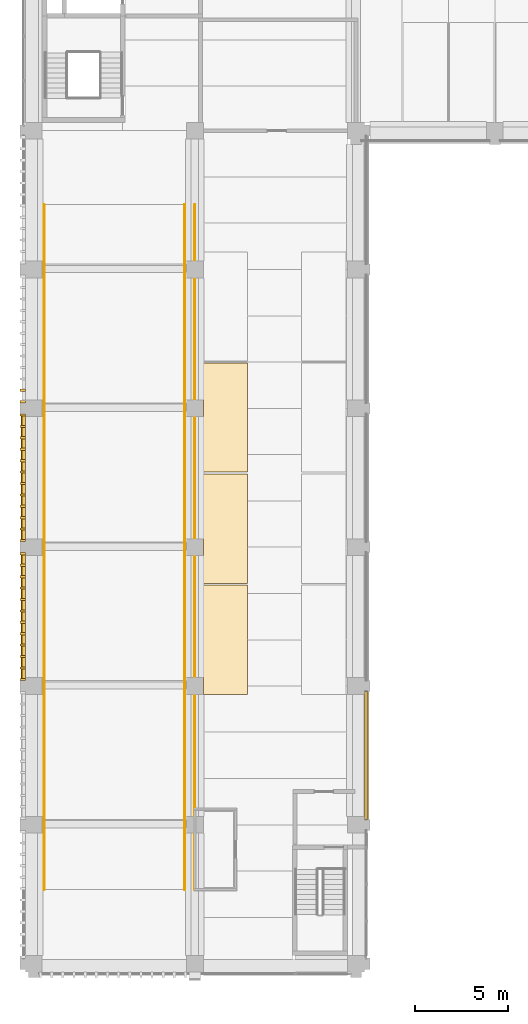
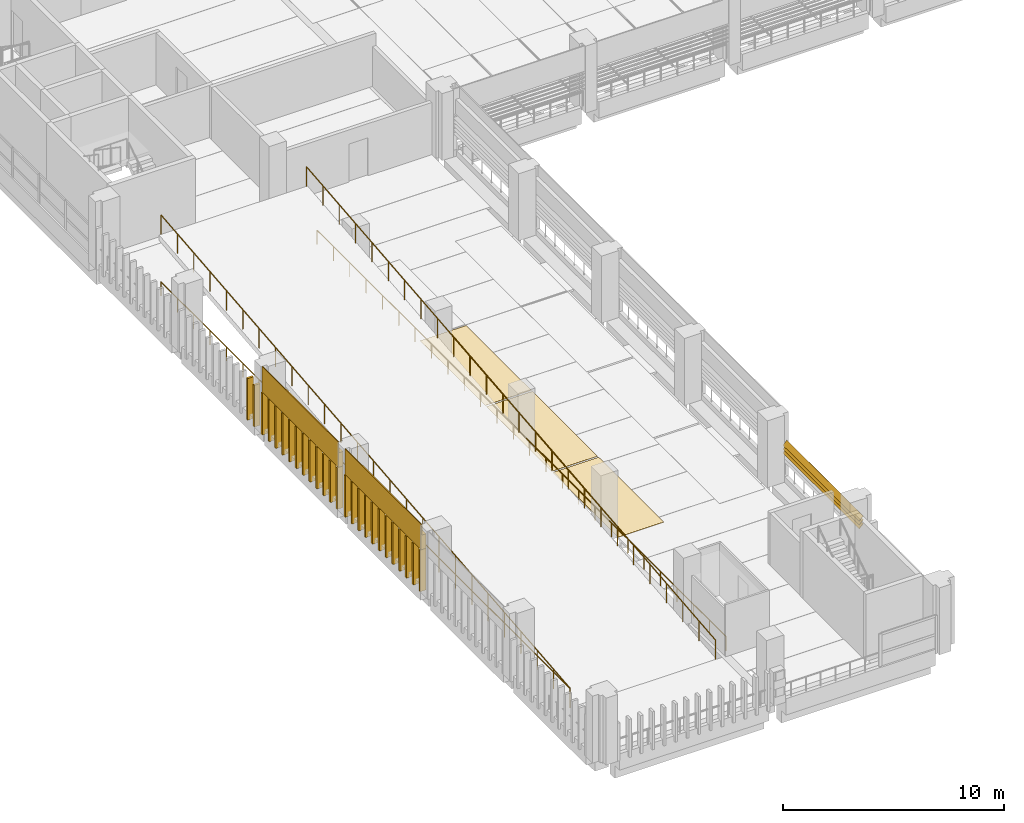
# One storey, part 38 of 57: 31 coverings, 4 railings, 3 shading devices.
"""IFC4 building model written with IfcOpenShell, lengths in metres."""

from ifc_helpers import new_model, si_unit, direction, frame, origin, origin_2d, place, context, subcontext, project, spatial, polyline, circle, outline, extrude, material, layer, layer_set, type_object, element, save


model = new_model("IFC4")

# Units and contexts
model_context = context("Model", 3, precision=1e-05, world=origin(), true_north=direction((0.0, 1.0)))
body_context = subcontext(model_context, "Body", "Model", "MODEL_VIEW")
ifc_project = project(units=[si_unit("LENGTHUNIT", "METRE"), si_unit("AREAUNIT", "SQUARE_METRE"), si_unit("VOLUMEUNIT", "CUBIC_METRE"), si_unit("PLANEANGLEUNIT", "RADIAN"), si_unit("MASSUNIT", "GRAM", prefix="KILO")], contexts=[model_context])

# Site, building, storey
site_placement = place(None, origin())
site = spatial("IfcSite", under=ifc_project, at=site_placement, CompositionType="ELEMENT")
building_placement = place(site_placement, origin())
building = spatial("IfcBuilding", under=site, at=building_placement, Name="Cour d'Honneur Mobility Palace", CompositionType="ELEMENT")
storey_placement = place(building_placement, frame((0.0, 0.0, 8.199951171875)))
storey = spatial("IfcBuildingStorey", under=building, at=storey_placement, Name="L02", CompositionType="ELEMENT", Elevation=8.199951171875)

# Coverings
ifc_material_1 = material(Name="Parking marking paint")
ifc_layer_1 = layer(ifc_material_1, 0.0048828125)
ifc_layer_set_1 = layer_set([ifc_layer_1], Name="Parking marking paint")
covering_type_1 = type_object("IfcCoveringType", Name="Parking bay marking", PredefinedType="FLOORING", material=ifc_layer_set_1)
covering_1_placement = place(storey_placement, origin())
element("IfcCovering", 1, at=covering_1_placement, inside=storey, type_object=covering_type_1, Name="Parking bay marking L02 86", PredefinedType="FLOORING", context=body_context, shape_type="SweptSolid", body=[
    extrude(outline(polyline([(11.550048828125, 14.550048828125), (9.14990234375, 14.550048828125), (9.14990234375, 20.449951171875), (11.550048828125, 20.449951171875), (11.550048828125, 14.550048828125)])), origin(), (0.0, 0.0, 1.0), 0.005126953125),
])
covering_2_placement = place(storey_placement, origin())
element("IfcCovering", 2, at=covering_2_placement, inside=storey, type_object=covering_type_1, Name="Parking bay marking L02 87", PredefinedType="FLOORING", context=body_context, shape_type="SweptSolid", body=[
    extrude(outline(polyline([(11.550048828125, 20.550048828125), (9.14990234375, 20.550048828125), (9.14990234375, 26.449951171875), (11.550048828125, 26.449951171875), (11.550048828125, 20.550048828125)])), origin(), (0.0, 0.0, 1.0), 0.005126953125),
])
covering_3_placement = place(storey_placement, origin())
element("IfcCovering", 3, at=covering_3_placement, inside=storey, type_object=covering_type_1, Name="Parking bay marking L02 88", PredefinedType="FLOORING", context=body_context, shape_type="SweptSolid", body=[
    extrude(outline(polyline([(11.550048828125, 26.550048828125), (9.14990234375, 26.550048828125), (9.14990234375, 32.449951171875), (11.550048828125, 32.449951171875), (11.550048828125, 26.550048828125)])), origin(), (0.0, 0.0, 1.0), 0.005126953125),
])

# Railings
ifc_material_2 = material(Name="Painted steel", Category="steel")
railing_type_1 = type_object("IfcRailingType", Name="Ramp guard 1100", PredefinedType="GUARDRAIL", material=ifc_material_2)
railing_1_placement = place(storey_placement, frame((0.550048828125, 4.0, 0.0)))
element("IfcRailing", 4, at=railing_1_placement, inside=storey, type_object=railing_type_1, Name="Ramp guard Ramp West 3", PredefinedType="GUARDRAIL", context=body_context, shape_type="SweptSolid", body=[
    extrude(circle(Radius=0.02490234375, at=origin_2d()), frame((0.0, 0.0, 1.0751953125), z_axis=(0.0, 0.995037320222, 0.099502418892), x_axis=(-1.0, 0.0, 0.0)), (0.0, 0.0, 1.0), 37.1845703125),
    extrude(circle(Radius=0.02099609375, at=origin_2d()), origin(), (0.0, 0.0, 1.0), 1.050048828125),
    extrude(circle(Radius=0.02099609375, at=origin_2d()), frame((0.0, 1.47998046875, 0.14794921875)), (0.0, 0.0, 1.0), 1.050048828125),
    extrude(circle(Radius=0.02099609375, at=origin_2d()), frame((0.0, 2.9599609375, 0.2958984375)), (0.0, 0.0, 1.0), 1.050048828125),
    extrude(circle(Radius=0.02099609375, at=origin_2d()), frame((0.0, 4.43994140625, 0.444091796875)), (0.0, 0.0, 1.0), 1.050048828125),
    extrude(circle(Radius=0.02099609375, at=origin_2d()), frame((0.0, 5.919921875, 0.592041015625)), (0.0, 0.0, 1.0), 1.050048828125),
    extrude(circle(Radius=0.02099609375, at=origin_2d()), frame((0.0, 7.39990234375, 0.739990234375)), (0.0, 0.0, 1.0), 1.050048828125),
    extrude(circle(Radius=0.02099609375, at=origin_2d()), frame((0.0, 8.8798828125, 0.887939453125)), (0.0, 0.0, 1.0), 1.050048828125),
    extrude(circle(Radius=0.02099609375, at=origin_2d()), frame((0.0, 10.360107421875, 1.035888671875)), (0.0, 0.0, 1.0), 1.050048828125),
    extrude(circle(Radius=0.02099609375, at=origin_2d()), frame((0.0, 11.840087890625, 1.18408203125)), (0.0, 0.0, 1.0), 1.050048828125),
    extrude(circle(Radius=0.02099609375, at=origin_2d()), frame((0.0, 13.320068359375, 1.33203125)), (0.0, 0.0, 1.0), 1.050048828125),
    extrude(circle(Radius=0.02099609375, at=origin_2d()), frame((0.0, 14.800048828125, 1.47998046875)), (0.0, 0.0, 1.0), 1.050048828125),
    extrude(circle(Radius=0.02099609375, at=origin_2d()), frame((0.0, 16.280029296875, 1.6279296875)), (0.0, 0.0, 1.0), 1.050048828125),
    extrude(circle(Radius=0.02099609375, at=origin_2d()), frame((0.0, 17.760009765625, 1.77587890625)), (0.0, 0.0, 1.0), 1.050048828125),
    extrude(circle(Radius=0.02099609375, at=origin_2d()), frame((0.0, 19.239990234375, 1.924072265625)), (0.0, 0.0, 1.0), 1.050048828125),
    extrude(circle(Radius=0.02099609375, at=origin_2d()), frame((0.0, 20.719970703125, 2.072021484375)), (0.0, 0.0, 1.0), 1.050048828125),
    extrude(circle(Radius=0.02099609375, at=origin_2d()), frame((0.0, 22.199951171875, 2.219970703125)), (0.0, 0.0, 1.0), 1.050048828125),
    extrude(circle(Radius=0.02099609375, at=origin_2d()), frame((0.0, 23.679931640625, 2.367919921875)), (0.0, 0.0, 1.0), 1.050048828125),
    extrude(circle(Radius=0.02099609375, at=origin_2d()), frame((0.0, 25.159912109375, 2.515869140625)), (0.0, 0.0, 1.0), 1.050048828125),
    extrude(circle(Radius=0.02099609375, at=origin_2d()), frame((0.0, 26.639892578125, 2.6640625)), (0.0, 0.0, 1.0), 1.050048828125),
    extrude(circle(Radius=0.02099609375, at=origin_2d()), frame((0.0, 28.1201171875, 2.81201171875)), (0.0, 0.0, 1.0), 1.050048828125),
    extrude(circle(Radius=0.02099609375, at=origin_2d()), frame((0.0, 29.60009765625, 2.9599609375)), (0.0, 0.0, 1.0), 1.050048828125),
    extrude(circle(Radius=0.02099609375, at=origin_2d()), frame((0.0, 31.080078125, 3.10791015625)), (0.0, 0.0, 1.0), 1.050048828125),
    extrude(circle(Radius=0.02099609375, at=origin_2d()), frame((0.0, 32.56005859375, 3.255859375)), (0.0, 0.0, 1.0), 1.050048828125),
    extrude(circle(Radius=0.02099609375, at=origin_2d()), frame((0.0, 34.0400390625, 3.404052734375)), (0.0, 0.0, 1.0), 1.050048828125),
    extrude(circle(Radius=0.02099609375, at=origin_2d()), frame((0.0, 35.52001953125, 3.552001953125)), (0.0, 0.0, 1.0), 1.050048828125),
    extrude(circle(Radius=0.02099609375, at=origin_2d()), frame((0.0, 37.0, 3.699951171875)), (0.0, 0.0, 1.0), 1.050048828125),
])
railing_2_placement = place(storey_placement, frame((8.14990234375, 4.0, 0.0)))
element("IfcRailing", 5, at=railing_2_placement, inside=storey, type_object=railing_type_1, Name="Ramp guard Ramp West 3", PredefinedType="GUARDRAIL", context=body_context, shape_type="SweptSolid", body=[
    extrude(circle(Radius=0.02490234375, at=origin_2d()), frame((0.0, 0.0, 1.0751953125), z_axis=(0.0, 0.995037320222, 0.099502418892), x_axis=(-1.0, 0.0, 0.0)), (0.0, 0.0, 1.0), 37.1845703125),
    extrude(circle(Radius=0.02099609375, at=origin_2d()), origin(), (0.0, 0.0, 1.0), 1.050048828125),
    extrude(circle(Radius=0.02099609375, at=origin_2d()), frame((0.0, 1.47998046875, 0.14794921875)), (0.0, 0.0, 1.0), 1.050048828125),
    extrude(circle(Radius=0.02099609375, at=origin_2d()), frame((0.0, 2.9599609375, 0.2958984375)), (0.0, 0.0, 1.0), 1.050048828125),
    extrude(circle(Radius=0.02099609375, at=origin_2d()), frame((0.0, 4.43994140625, 0.444091796875)), (0.0, 0.0, 1.0), 1.050048828125),
    extrude(circle(Radius=0.02099609375, at=origin_2d()), frame((0.0, 5.919921875, 0.592041015625)), (0.0, 0.0, 1.0), 1.050048828125),
    extrude(circle(Radius=0.02099609375, at=origin_2d()), frame((0.0, 7.39990234375, 0.739990234375)), (0.0, 0.0, 1.0), 1.050048828125),
    extrude(circle(Radius=0.02099609375, at=origin_2d()), frame((0.0, 8.8798828125, 0.887939453125)), (0.0, 0.0, 1.0), 1.050048828125),
    extrude(circle(Radius=0.02099609375, at=origin_2d()), frame((0.0, 10.360107421875, 1.035888671875)), (0.0, 0.0, 1.0), 1.050048828125),
    extrude(circle(Radius=0.02099609375, at=origin_2d()), frame((0.0, 11.840087890625, 1.18408203125)), (0.0, 0.0, 1.0), 1.050048828125),
    extrude(circle(Radius=0.02099609375, at=origin_2d()), frame((0.0, 13.320068359375, 1.33203125)), (0.0, 0.0, 1.0), 1.050048828125),
    extrude(circle(Radius=0.02099609375, at=origin_2d()), frame((0.0, 14.800048828125, 1.47998046875)), (0.0, 0.0, 1.0), 1.050048828125),
    extrude(circle(Radius=0.02099609375, at=origin_2d()), frame((0.0, 16.280029296875, 1.6279296875)), (0.0, 0.0, 1.0), 1.050048828125),
    extrude(circle(Radius=0.02099609375, at=origin_2d()), frame((0.0, 17.760009765625, 1.77587890625)), (0.0, 0.0, 1.0), 1.050048828125),
    extrude(circle(Radius=0.02099609375, at=origin_2d()), frame((0.0, 19.239990234375, 1.924072265625)), (0.0, 0.0, 1.0), 1.050048828125),
    extrude(circle(Radius=0.02099609375, at=origin_2d()), frame((0.0, 20.719970703125, 2.072021484375)), (0.0, 0.0, 1.0), 1.050048828125),
    extrude(circle(Radius=0.02099609375, at=origin_2d()), frame((0.0, 22.199951171875, 2.219970703125)), (0.0, 0.0, 1.0), 1.050048828125),
    extrude(circle(Radius=0.02099609375, at=origin_2d()), frame((0.0, 23.679931640625, 2.367919921875)), (0.0, 0.0, 1.0), 1.050048828125),
    extrude(circle(Radius=0.02099609375, at=origin_2d()), frame((0.0, 25.159912109375, 2.515869140625)), (0.0, 0.0, 1.0), 1.050048828125),
    extrude(circle(Radius=0.02099609375, at=origin_2d()), frame((0.0, 26.639892578125, 2.6640625)), (0.0, 0.0, 1.0), 1.050048828125),
    extrude(circle(Radius=0.02099609375, at=origin_2d()), frame((0.0, 28.1201171875, 2.81201171875)), (0.0, 0.0, 1.0), 1.050048828125),
    extrude(circle(Radius=0.02099609375, at=origin_2d()), frame((0.0, 29.60009765625, 2.9599609375)), (0.0, 0.0, 1.0), 1.050048828125),
    extrude(circle(Radius=0.02099609375, at=origin_2d()), frame((0.0, 31.080078125, 3.10791015625)), (0.0, 0.0, 1.0), 1.050048828125),
    extrude(circle(Radius=0.02099609375, at=origin_2d()), frame((0.0, 32.56005859375, 3.255859375)), (0.0, 0.0, 1.0), 1.050048828125),
    extrude(circle(Radius=0.02099609375, at=origin_2d()), frame((0.0, 34.0400390625, 3.404052734375)), (0.0, 0.0, 1.0), 1.050048828125),
    extrude(circle(Radius=0.02099609375, at=origin_2d()), frame((0.0, 35.52001953125, 3.552001953125)), (0.0, 0.0, 1.0), 1.050048828125),
    extrude(circle(Radius=0.02099609375, at=origin_2d()), frame((0.0, 37.0, 3.699951171875)), (0.0, 0.0, 1.0), 1.050048828125),
])

# Coverings
ifc_material_3 = material(Name="Cast limestone", Category="masonry")
ifc_layer_2 = layer(ifc_material_3, 0.1201171875)
ifc_layer_set_2 = layer_set([ifc_layer_2], Name="Cast limestone")
covering_type_2 = type_object("IfcCoveringType", Name="Ramp screen fin", PredefinedType="CLADDING", material=ifc_layer_set_2)
covering_4_placement = place(storey_placement, origin())
element("IfcCovering", 6, at=covering_4_placement, inside=storey, type_object=covering_type_2, Name="Ramp screen fin W11.9 L02 11", PredefinedType="CLADDING", context=body_context, shape_type="SweptSolid", body=[
    extrude(outline(polyline([(-0.449951171875, 31.036376953125), (-0.449951171875, 30.916259765625), (-0.75, 30.916259765625), (-0.75, 31.036376953125), (-0.449951171875, 31.036376953125)])), origin(), (0.0, 0.0, 1.0), 2.300048828125),
])
covering_5_placement = place(storey_placement, origin())
element("IfcCovering", 7, at=covering_5_placement, inside=storey, type_object=covering_type_2, Name="Ramp screen fin W11.9 L02 12", PredefinedType="CLADDING", context=body_context, shape_type="SweptSolid", body=[
    extrude(outline(polyline([(-0.449951171875, 30.419921875), (-0.449951171875, 30.300048828125), (-0.75, 30.300048828125), (-0.75, 30.419921875), (-0.449951171875, 30.419921875)])), origin(), (0.0, 0.0, 1.0), 2.300048828125),
])
covering_6_placement = place(storey_placement, origin())
element("IfcCovering", 8, at=covering_6_placement, inside=storey, type_object=covering_type_2, Name="Ramp screen fin W11.10 L02 1", PredefinedType="CLADDING", context=body_context, shape_type="SweptSolid", body=[
    extrude(outline(polyline([(-0.449951171875, 29.699951171875), (-0.449951171875, 29.580078125), (-0.75, 29.580078125), (-0.75, 29.699951171875), (-0.449951171875, 29.699951171875)])), origin(), (0.0, 0.0, 1.0), 2.300048828125),
])
covering_7_placement = place(storey_placement, origin())
element("IfcCovering", 9, at=covering_7_placement, inside=storey, type_object=covering_type_2, Name="Ramp screen fin W11.10 L02 2", PredefinedType="CLADDING", context=body_context, shape_type="SweptSolid", body=[
    extrude(outline(polyline([(-0.449951171875, 29.083740234375), (-0.449951171875, 28.963623046875), (-0.75, 28.963623046875), (-0.75, 29.083740234375), (-0.449951171875, 29.083740234375)])), origin(), (0.0, 0.0, 1.0), 2.300048828125),
])
covering_8_placement = place(storey_placement, origin())
element("IfcCovering", 10, at=covering_8_placement, inside=storey, type_object=covering_type_2, Name="Ramp screen fin W11.10 L02 3", PredefinedType="CLADDING", context=body_context, shape_type="SweptSolid", body=[
    extrude(outline(polyline([(-0.449951171875, 28.46728515625), (-0.449951171875, 28.34716796875), (-0.75, 28.34716796875), (-0.75, 28.46728515625), (-0.449951171875, 28.46728515625)])), origin(), (0.0, 0.0, 1.0), 2.300048828125),
])
covering_9_placement = place(storey_placement, origin())
element("IfcCovering", 11, at=covering_9_placement, inside=storey, type_object=covering_type_2, Name="Ramp screen fin W11.10 L02 4", PredefinedType="CLADDING", context=body_context, shape_type="SweptSolid", body=[
    extrude(outline(polyline([(-0.449951171875, 27.850830078125), (-0.449951171875, 27.73095703125), (-0.75, 27.73095703125), (-0.75, 27.850830078125), (-0.449951171875, 27.850830078125)])), origin(), (0.0, 0.0, 1.0), 2.300048828125),
])
covering_10_placement = place(storey_placement, origin())
element("IfcCovering", 12, at=covering_10_placement, inside=storey, type_object=covering_type_2, Name="Ramp screen fin W11.10 L02 5", PredefinedType="CLADDING", context=body_context, shape_type="SweptSolid", body=[
    extrude(outline(polyline([(-0.449951171875, 27.234619140625), (-0.449951171875, 27.114501953125), (-0.75, 27.114501953125), (-0.75, 27.234619140625), (-0.449951171875, 27.234619140625)])), origin(), (0.0, 0.0, 1.0), 2.300048828125),
])
covering_11_placement = place(storey_placement, origin())
element("IfcCovering", 13, at=covering_11_placement, inside=storey, type_object=covering_type_2, Name="Ramp screen fin W11.10 L02 6", PredefinedType="CLADDING", context=body_context, shape_type="SweptSolid", body=[
    extrude(outline(polyline([(-0.449951171875, 26.6181640625), (-0.449951171875, 26.498291015625), (-0.75, 26.498291015625), (-0.75, 26.6181640625), (-0.449951171875, 26.6181640625)])), origin(), (0.0, 0.0, 1.0), 2.300048828125),
])
covering_12_placement = place(storey_placement, origin())
element("IfcCovering", 14, at=covering_12_placement, inside=storey, type_object=covering_type_2, Name="Ramp screen fin W11.10 L02 7", PredefinedType="CLADDING", context=body_context, shape_type="SweptSolid", body=[
    extrude(outline(polyline([(-0.449951171875, 26.001708984375), (-0.449951171875, 25.8818359375), (-0.75, 25.8818359375), (-0.75, 26.001708984375), (-0.449951171875, 26.001708984375)])), origin(), (0.0, 0.0, 1.0), 2.300048828125),
])
covering_13_placement = place(storey_placement, origin())
element("IfcCovering", 15, at=covering_13_placement, inside=storey, type_object=covering_type_2, Name="Ramp screen fin W11.10 L02 8", PredefinedType="CLADDING", context=body_context, shape_type="SweptSolid", body=[
    extrude(outline(polyline([(-0.449951171875, 25.385498046875), (-0.449951171875, 25.265380859375), (-0.75, 25.265380859375), (-0.75, 25.385498046875), (-0.449951171875, 25.385498046875)])), origin(), (0.0, 0.0, 1.0), 2.300048828125),
])
covering_14_placement = place(storey_placement, origin())
element("IfcCovering", 16, at=covering_14_placement, inside=storey, type_object=covering_type_2, Name="Ramp screen fin W11.10 L02 9", PredefinedType="CLADDING", context=body_context, shape_type="SweptSolid", body=[
    extrude(outline(polyline([(-0.449951171875, 24.76904296875), (-0.449951171875, 24.649169921875), (-0.75, 24.649169921875), (-0.75, 24.76904296875), (-0.449951171875, 24.76904296875)])), origin(), (0.0, 0.0, 1.0), 2.300048828125),
])
covering_15_placement = place(storey_placement, origin())
element("IfcCovering", 17, at=covering_15_placement, inside=storey, type_object=covering_type_2, Name="Ramp screen fin W11.10 L02 10", PredefinedType="CLADDING", context=body_context, shape_type="SweptSolid", body=[
    extrude(outline(polyline([(-0.449951171875, 24.15283203125), (-0.449951171875, 24.03271484375), (-0.75, 24.03271484375), (-0.75, 24.15283203125), (-0.449951171875, 24.15283203125)])), origin(), (0.0, 0.0, 1.0), 2.300048828125),
])
covering_16_placement = place(storey_placement, origin())
element("IfcCovering", 18, at=covering_16_placement, inside=storey, type_object=covering_type_2, Name="Ramp screen fin W11.10 L02 11", PredefinedType="CLADDING", context=body_context, shape_type="SweptSolid", body=[
    extrude(outline(polyline([(-0.449951171875, 23.536376953125), (-0.449951171875, 23.416259765625), (-0.75, 23.416259765625), (-0.75, 23.536376953125), (-0.449951171875, 23.536376953125)])), origin(), (0.0, 0.0, 1.0), 2.300048828125),
])
covering_17_placement = place(storey_placement, origin())
element("IfcCovering", 19, at=covering_17_placement, inside=storey, type_object=covering_type_2, Name="Ramp screen fin W11.10 L02 12", PredefinedType="CLADDING", context=body_context, shape_type="SweptSolid", body=[
    extrude(outline(polyline([(-0.449951171875, 22.919921875), (-0.449951171875, 22.800048828125), (-0.75, 22.800048828125), (-0.75, 22.919921875), (-0.449951171875, 22.919921875)])), origin(), (0.0, 0.0, 1.0), 2.300048828125),
])
covering_18_placement = place(storey_placement, origin())
element("IfcCovering", 20, at=covering_18_placement, inside=storey, type_object=covering_type_2, Name="Ramp screen fin W11.11 L02 1", PredefinedType="CLADDING", context=body_context, shape_type="SweptSolid", body=[
    extrude(outline(polyline([(-0.449951171875, 22.199951171875), (-0.449951171875, 22.080078125), (-0.75, 22.080078125), (-0.75, 22.199951171875), (-0.449951171875, 22.199951171875)])), origin(), (0.0, 0.0, 1.0), 2.300048828125),
])
covering_19_placement = place(storey_placement, origin())
element("IfcCovering", 21, at=covering_19_placement, inside=storey, type_object=covering_type_2, Name="Ramp screen fin W11.11 L02 2", PredefinedType="CLADDING", context=body_context, shape_type="SweptSolid", body=[
    extrude(outline(polyline([(-0.449951171875, 21.583740234375), (-0.449951171875, 21.463623046875), (-0.75, 21.463623046875), (-0.75, 21.583740234375), (-0.449951171875, 21.583740234375)])), origin(), (0.0, 0.0, 1.0), 2.300048828125),
])
covering_20_placement = place(storey_placement, origin())
element("IfcCovering", 22, at=covering_20_placement, inside=storey, type_object=covering_type_2, Name="Ramp screen fin W11.11 L02 3", PredefinedType="CLADDING", context=body_context, shape_type="SweptSolid", body=[
    extrude(outline(polyline([(-0.449951171875, 20.96728515625), (-0.449951171875, 20.84716796875), (-0.75, 20.84716796875), (-0.75, 20.96728515625), (-0.449951171875, 20.96728515625)])), origin(), (0.0, 0.0, 1.0), 2.300048828125),
])
covering_21_placement = place(storey_placement, origin())
element("IfcCovering", 23, at=covering_21_placement, inside=storey, type_object=covering_type_2, Name="Ramp screen fin W11.11 L02 4", PredefinedType="CLADDING", context=body_context, shape_type="SweptSolid", body=[
    extrude(outline(polyline([(-0.449951171875, 20.350830078125), (-0.449951171875, 20.23095703125), (-0.75, 20.23095703125), (-0.75, 20.350830078125), (-0.449951171875, 20.350830078125)])), origin(), (0.0, 0.0, 1.0), 2.300048828125),
])
covering_22_placement = place(storey_placement, origin())
element("IfcCovering", 24, at=covering_22_placement, inside=storey, type_object=covering_type_2, Name="Ramp screen fin W11.11 L02 5", PredefinedType="CLADDING", context=body_context, shape_type="SweptSolid", body=[
    extrude(outline(polyline([(-0.449951171875, 19.734619140625), (-0.449951171875, 19.614501953125), (-0.75, 19.614501953125), (-0.75, 19.734619140625), (-0.449951171875, 19.734619140625)])), origin(), (0.0, 0.0, 1.0), 2.300048828125),
])
covering_23_placement = place(storey_placement, origin())
element("IfcCovering", 25, at=covering_23_placement, inside=storey, type_object=covering_type_2, Name="Ramp screen fin W11.11 L02 6", PredefinedType="CLADDING", context=body_context, shape_type="SweptSolid", body=[
    extrude(outline(polyline([(-0.449951171875, 19.1181640625), (-0.449951171875, 18.998291015625), (-0.75, 18.998291015625), (-0.75, 19.1181640625), (-0.449951171875, 19.1181640625)])), origin(), (0.0, 0.0, 1.0), 2.300048828125),
])
covering_24_placement = place(storey_placement, origin())
element("IfcCovering", 26, at=covering_24_placement, inside=storey, type_object=covering_type_2, Name="Ramp screen fin W11.11 L02 7", PredefinedType="CLADDING", context=body_context, shape_type="SweptSolid", body=[
    extrude(outline(polyline([(-0.449951171875, 18.501708984375), (-0.449951171875, 18.3818359375), (-0.75, 18.3818359375), (-0.75, 18.501708984375), (-0.449951171875, 18.501708984375)])), origin(), (0.0, 0.0, 1.0), 2.300048828125),
])
covering_25_placement = place(storey_placement, origin())
element("IfcCovering", 27, at=covering_25_placement, inside=storey, type_object=covering_type_2, Name="Ramp screen fin W11.11 L02 8", PredefinedType="CLADDING", context=body_context, shape_type="SweptSolid", body=[
    extrude(outline(polyline([(-0.449951171875, 17.885498046875), (-0.449951171875, 17.765380859375), (-0.75, 17.765380859375), (-0.75, 17.885498046875), (-0.449951171875, 17.885498046875)])), origin(), (0.0, 0.0, 1.0), 2.300048828125),
])
covering_26_placement = place(storey_placement, origin())
element("IfcCovering", 28, at=covering_26_placement, inside=storey, type_object=covering_type_2, Name="Ramp screen fin W11.11 L02 9", PredefinedType="CLADDING", context=body_context, shape_type="SweptSolid", body=[
    extrude(outline(polyline([(-0.449951171875, 17.26904296875), (-0.449951171875, 17.149169921875), (-0.75, 17.149169921875), (-0.75, 17.26904296875), (-0.449951171875, 17.26904296875)])), origin(), (0.0, 0.0, 1.0), 2.300048828125),
])
covering_27_placement = place(storey_placement, origin())
element("IfcCovering", 29, at=covering_27_placement, inside=storey, type_object=covering_type_2, Name="Ramp screen fin W11.11 L02 10", PredefinedType="CLADDING", context=body_context, shape_type="SweptSolid", body=[
    extrude(outline(polyline([(-0.449951171875, 16.65283203125), (-0.449951171875, 16.53271484375), (-0.75, 16.53271484375), (-0.75, 16.65283203125), (-0.449951171875, 16.65283203125)])), origin(), (0.0, 0.0, 1.0), 2.300048828125),
])
covering_28_placement = place(storey_placement, origin())
element("IfcCovering", 30, at=covering_28_placement, inside=storey, type_object=covering_type_2, Name="Ramp screen fin W11.11 L02 11", PredefinedType="CLADDING", context=body_context, shape_type="SweptSolid", body=[
    extrude(outline(polyline([(-0.449951171875, 16.036376953125), (-0.449951171875, 15.916259765625), (-0.75, 15.916259765625), (-0.75, 16.036376953125), (-0.449951171875, 16.036376953125)])), origin(), (0.0, 0.0, 1.0), 2.300048828125),
])
covering_29_placement = place(storey_placement, origin())
element("IfcCovering", 31, at=covering_29_placement, inside=storey, type_object=covering_type_2, Name="Ramp screen fin W11.11 L02 12", PredefinedType="CLADDING", context=body_context, shape_type="SweptSolid", body=[
    extrude(outline(polyline([(-0.449951171875, 15.419921875), (-0.449951171875, 15.300048828125), (-0.75, 15.300048828125), (-0.75, 15.419921875), (-0.449951171875, 15.419921875)])), origin(), (0.0, 0.0, 1.0), 2.300048828125),
])
ifc_material_4 = material(Name="Cast limestone", Category="masonry")
ifc_layer_3 = layer(ifc_material_4, 0.25)
ifc_layer_set_3 = layer_set([ifc_layer_3], Name="Cast limestone")
covering_type_3 = type_object("IfcCoveringType", Name="Spandrel cladding", PredefinedType="CLADDING", material=ifc_layer_set_3)
for number, where, z_axis, x_axis, name in (
    (32, (-0.449951171875, 29.699951171875, 2.300048828125), (0.0, 1.0, 0.0), (-1.0, 0.0, 0.0), "Spandrel cladding SK-205"),
    (33, (-0.449951171875, 22.199951171875, 2.300048828125), (0.0, 1.0, 0.0), (-1.0, 0.0, 0.0), "Spandrel cladding SK-206"),
):
    element("IfcCovering", number, at=place(storey_placement, frame(where, z_axis=z_axis, x_axis=x_axis)), inside=storey, type_object=covering_type_3, Name=name, PredefinedType="CLADDING", context=body_context, shape_type="SweptSolid", body=[
        extrude(outline(polyline([(0.0, 0.0), (0.25, 0.0), (0.25, 1.39990234375), (0.199951171875, 1.39990234375), (0.199951171875, 0.800048828125), (0.0, 0.800048828125), (0.0, 0.0)])), origin(), (0.0, 0.0, -1.0), 6.89990234375),
    ])

# Shading devices
ifc_material_5 = material(Name="Terracotta", Category="masonry")
ifc_layer_4 = layer(ifc_material_5, 0.02490234375)
ifc_layer_set_4 = layer_set([ifc_layer_4], Name="Terracotta")
shading_device_type = type_object("IfcShadingDeviceType", Name="Terracotta louvre blade", PredefinedType="JALOUSIE", material=ifc_layer_set_4)
shading_device_placement = place(storey_placement, frame((17.843994140625, 7.800048828125, 1.5244140625), z_axis=(-0.706699578995, 0.0, 0.707513749017), x_axis=(0.0, 1.0, 0.0)))
element("IfcShadingDevice", 34, at=shading_device_placement, inside=storey, type_object=shading_device_type, Name="Louvre blade LV-1 E1.1 L02 3", PredefinedType="JALOUSIE", context=body_context, shape_type="SweptSolid", body=[
    extrude(outline(polyline([(0.0, 0.0), (6.89990234375, 0.0), (6.89990234375, -0.29986442442957895), (0.0, -0.29986442442957895), (0.0, 0.0)])), origin(), (0.0, 0.0, -1.0), 0.02490234375),
])
for number, where, z_axis, x_axis, name in (
    (35, (17.843994140625, 7.800048828125, 1.736328125), (-0.707106781187, 0.0, 0.707106781187), (0.0, 1.0, 0.0), "Louvre blade LV-1 E1.1 L02 4"),
    (36, (17.843994140625, 7.800048828125, 1.948486328125), (-0.707106781187, 0.0, 0.707106781187), (0.0, 1.0, 0.0), "Louvre blade LV-1 E1.1 L02 5"),
):
    element("IfcShadingDevice", number, at=place(storey_placement, frame(where, z_axis=z_axis, x_axis=x_axis)), inside=storey, type_object=shading_device_type, Name=name, PredefinedType="JALOUSIE", context=body_context, shape_type="SweptSolid", body=[
        extrude(outline(polyline([(0.0, 0.0), (6.89990234375, 0.0), (6.89990234375, -0.300037008228081), (0.0, -0.300037008228081), (0.0, 0.0)])), origin(), (0.0, 0.0, -1.0), 0.02490234375),
    ])

# Railings
ifc_material_6 = material(Name="Painted steel", Category="steel")
railing_type_2 = type_object("IfcRailingType", Name="Void edge guard 1100", PredefinedType="GUARDRAIL", material=ifc_material_6)
railing_3_placement = place(storey_placement, frame((8.699951171875, 4.0, 0.300048828125)))
element("IfcRailing", 37, at=railing_3_placement, inside=storey, type_object=railing_type_2, Name="Void edge guard SW L02", PredefinedType="GUARDRAIL", context=body_context, shape_type="SweptSolid", body=[
    extrude(circle(Radius=0.02490234375, at=origin_2d()), frame((0.0, 0.0, 0.77490234375), z_axis=(0.0, 1.0, 0.0), x_axis=(-1.0, 0.0, 0.0)), (0.0, 0.0, 1.0), 37.0),
    extrude(circle(Radius=0.02099609375, at=origin_2d()), origin(), (0.0, 0.0, 1.0), 0.75),
    extrude(circle(Radius=0.02099609375, at=origin_2d()), frame((0.0, 1.47998046875, 0.0)), (0.0, 0.0, 1.0), 0.75),
    extrude(circle(Radius=0.02099609375, at=origin_2d()), frame((0.0, 2.9599609375, 0.0)), (0.0, 0.0, 1.0), 0.75),
    extrude(circle(Radius=0.02099609375, at=origin_2d()), frame((0.0, 4.43994140625, 0.0)), (0.0, 0.0, 1.0), 0.75),
    extrude(circle(Radius=0.02099609375, at=origin_2d()), frame((0.0, 5.919921875, 0.0)), (0.0, 0.0, 1.0), 0.75),
    extrude(circle(Radius=0.02099609375, at=origin_2d()), frame((0.0, 7.39990234375, 0.0)), (0.0, 0.0, 1.0), 0.75),
    extrude(circle(Radius=0.02099609375, at=origin_2d()), frame((0.0, 8.8798828125, 0.0)), (0.0, 0.0, 1.0), 0.75),
    extrude(circle(Radius=0.02099609375, at=origin_2d()), frame((0.0, 10.360107421875, 0.0)), (0.0, 0.0, 1.0), 0.75),
    extrude(circle(Radius=0.02099609375, at=origin_2d()), frame((0.0, 11.840087890625, 0.0)), (0.0, 0.0, 1.0), 0.75),
    extrude(circle(Radius=0.02099609375, at=origin_2d()), frame((0.0, 13.320068359375, 0.0)), (0.0, 0.0, 1.0), 0.75),
    extrude(circle(Radius=0.02099609375, at=origin_2d()), frame((0.0, 14.800048828125, 0.0)), (0.0, 0.0, 1.0), 0.75),
    extrude(circle(Radius=0.02099609375, at=origin_2d()), frame((0.0, 16.280029296875, 0.0)), (0.0, 0.0, 1.0), 0.75),
    extrude(circle(Radius=0.02099609375, at=origin_2d()), frame((0.0, 17.760009765625, 0.0)), (0.0, 0.0, 1.0), 0.75),
    extrude(circle(Radius=0.02099609375, at=origin_2d()), frame((0.0, 19.239990234375, 0.0)), (0.0, 0.0, 1.0), 0.75),
    extrude(circle(Radius=0.02099609375, at=origin_2d()), frame((0.0, 20.719970703125, 0.0)), (0.0, 0.0, 1.0), 0.75),
    extrude(circle(Radius=0.02099609375, at=origin_2d()), frame((0.0, 22.199951171875, 0.0)), (0.0, 0.0, 1.0), 0.75),
    extrude(circle(Radius=0.02099609375, at=origin_2d()), frame((0.0, 23.679931640625, 0.0)), (0.0, 0.0, 1.0), 0.75),
    extrude(circle(Radius=0.02099609375, at=origin_2d()), frame((0.0, 25.159912109375, 0.0)), (0.0, 0.0, 1.0), 0.75),
    extrude(circle(Radius=0.02099609375, at=origin_2d()), frame((0.0, 26.639892578125, 0.0)), (0.0, 0.0, 1.0), 0.75),
    extrude(circle(Radius=0.02099609375, at=origin_2d()), frame((0.0, 28.1201171875, 0.0)), (0.0, 0.0, 1.0), 0.75),
    extrude(circle(Radius=0.02099609375, at=origin_2d()), frame((0.0, 29.60009765625, 0.0)), (0.0, 0.0, 1.0), 0.75),
    extrude(circle(Radius=0.02099609375, at=origin_2d()), frame((0.0, 31.080078125, 0.0)), (0.0, 0.0, 1.0), 0.75),
    extrude(circle(Radius=0.02099609375, at=origin_2d()), frame((0.0, 32.56005859375, 0.0)), (0.0, 0.0, 1.0), 0.75),
    extrude(circle(Radius=0.02099609375, at=origin_2d()), frame((0.0, 34.0400390625, 0.0)), (0.0, 0.0, 1.0), 0.75),
    extrude(circle(Radius=0.02099609375, at=origin_2d()), frame((0.0, 35.52001953125, 0.0)), (0.0, 0.0, 1.0), 0.75),
    extrude(circle(Radius=0.02099609375, at=origin_2d()), frame((0.0, 37.0, 0.0)), (0.0, 0.0, 1.0), 0.75),
])
railing_4_placement = place(storey_placement, frame((0.550048828125, 4.0, 0.300048828125)))
element("IfcRailing", 38, at=railing_4_placement, inside=storey, type_object=railing_type_2, Name="Void edge guard SW L02", PredefinedType="GUARDRAIL", context=body_context, shape_type="SweptSolid", body=[
    extrude(circle(Radius=0.02490234375, at=origin_2d()), frame((0.0, 0.0, 0.77490234375), z_axis=(0.0, 1.0, 0.0), x_axis=(-1.0, 0.0, 0.0)), (0.0, 0.0, 1.0), 37.0),
    extrude(circle(Radius=0.02099609375, at=origin_2d()), origin(), (0.0, 0.0, 1.0), 0.75),
    extrude(circle(Radius=0.02099609375, at=origin_2d()), frame((0.0, 1.47998046875, 0.0)), (0.0, 0.0, 1.0), 0.75),
    extrude(circle(Radius=0.02099609375, at=origin_2d()), frame((0.0, 2.9599609375, 0.0)), (0.0, 0.0, 1.0), 0.75),
    extrude(circle(Radius=0.02099609375, at=origin_2d()), frame((0.0, 4.43994140625, 0.0)), (0.0, 0.0, 1.0), 0.75),
    extrude(circle(Radius=0.02099609375, at=origin_2d()), frame((0.0, 5.919921875, 0.0)), (0.0, 0.0, 1.0), 0.75),
    extrude(circle(Radius=0.02099609375, at=origin_2d()), frame((0.0, 7.39990234375, 0.0)), (0.0, 0.0, 1.0), 0.75),
    extrude(circle(Radius=0.02099609375, at=origin_2d()), frame((0.0, 8.8798828125, 0.0)), (0.0, 0.0, 1.0), 0.75),
    extrude(circle(Radius=0.02099609375, at=origin_2d()), frame((0.0, 10.360107421875, 0.0)), (0.0, 0.0, 1.0), 0.75),
    extrude(circle(Radius=0.02099609375, at=origin_2d()), frame((0.0, 11.840087890625, 0.0)), (0.0, 0.0, 1.0), 0.75),
    extrude(circle(Radius=0.02099609375, at=origin_2d()), frame((0.0, 13.320068359375, 0.0)), (0.0, 0.0, 1.0), 0.75),
    extrude(circle(Radius=0.02099609375, at=origin_2d()), frame((0.0, 14.800048828125, 0.0)), (0.0, 0.0, 1.0), 0.75),
    extrude(circle(Radius=0.02099609375, at=origin_2d()), frame((0.0, 16.280029296875, 0.0)), (0.0, 0.0, 1.0), 0.75),
    extrude(circle(Radius=0.02099609375, at=origin_2d()), frame((0.0, 17.760009765625, 0.0)), (0.0, 0.0, 1.0), 0.75),
    extrude(circle(Radius=0.02099609375, at=origin_2d()), frame((0.0, 19.239990234375, 0.0)), (0.0, 0.0, 1.0), 0.75),
    extrude(circle(Radius=0.02099609375, at=origin_2d()), frame((0.0, 20.719970703125, 0.0)), (0.0, 0.0, 1.0), 0.75),
    extrude(circle(Radius=0.02099609375, at=origin_2d()), frame((0.0, 22.199951171875, 0.0)), (0.0, 0.0, 1.0), 0.75),
    extrude(circle(Radius=0.02099609375, at=origin_2d()), frame((0.0, 23.679931640625, 0.0)), (0.0, 0.0, 1.0), 0.75),
    extrude(circle(Radius=0.02099609375, at=origin_2d()), frame((0.0, 25.159912109375, 0.0)), (0.0, 0.0, 1.0), 0.75),
    extrude(circle(Radius=0.02099609375, at=origin_2d()), frame((0.0, 26.639892578125, 0.0)), (0.0, 0.0, 1.0), 0.75),
    extrude(circle(Radius=0.02099609375, at=origin_2d()), frame((0.0, 28.1201171875, 0.0)), (0.0, 0.0, 1.0), 0.75),
    extrude(circle(Radius=0.02099609375, at=origin_2d()), frame((0.0, 29.60009765625, 0.0)), (0.0, 0.0, 1.0), 0.75),
    extrude(circle(Radius=0.02099609375, at=origin_2d()), frame((0.0, 31.080078125, 0.0)), (0.0, 0.0, 1.0), 0.75),
    extrude(circle(Radius=0.02099609375, at=origin_2d()), frame((0.0, 32.56005859375, 0.0)), (0.0, 0.0, 1.0), 0.75),
    extrude(circle(Radius=0.02099609375, at=origin_2d()), frame((0.0, 34.0400390625, 0.0)), (0.0, 0.0, 1.0), 0.75),
    extrude(circle(Radius=0.02099609375, at=origin_2d()), frame((0.0, 35.52001953125, 0.0)), (0.0, 0.0, 1.0), 0.75),
    extrude(circle(Radius=0.02099609375, at=origin_2d()), frame((0.0, 37.0, 0.0)), (0.0, 0.0, 1.0), 0.75),
])

save(model, "model.ifc")
